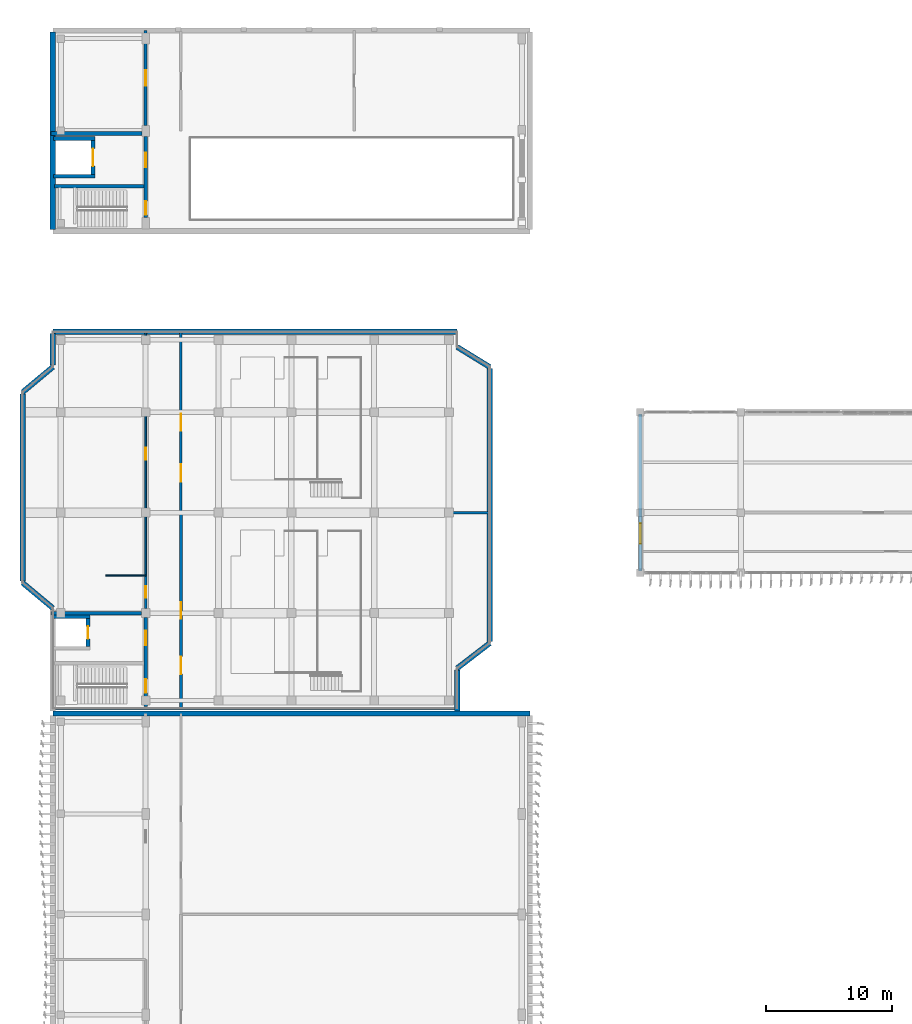
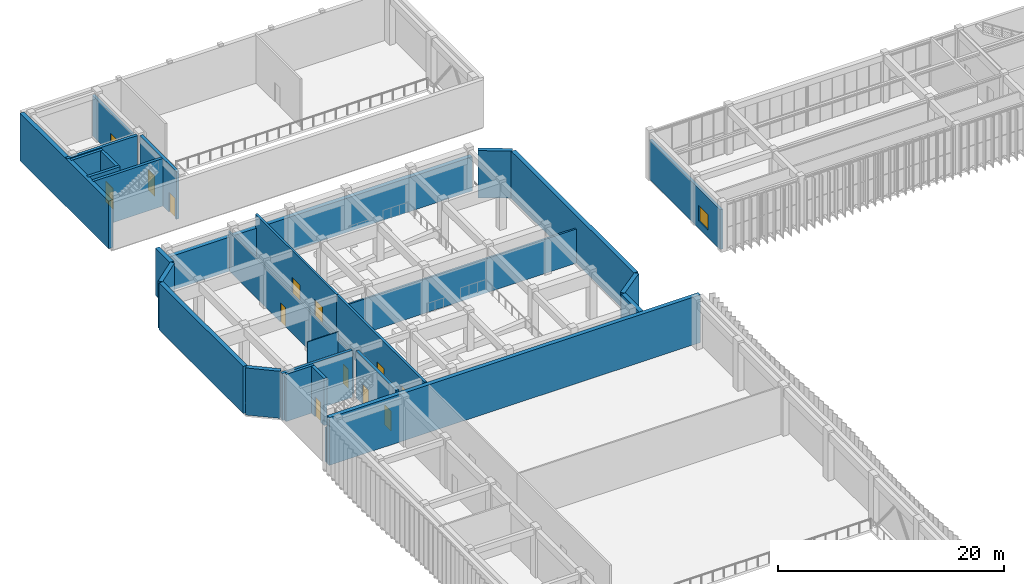
# One storey, part 39 of 64: 30 walls, 13 doors, 1 window, 14 openings.
"""IFC4 building model written with IfcOpenShell, lengths in metres."""

from ifc_helpers import new_model, si_unit, direction, frame, frame_2d, origin, place, context, subcontext, project, spatial, rectangle, extrude, material, layer, layer_set, type_object, element, fill, save


model = new_model("IFC4")

# Units and contexts
model_context = context("Model", 3, precision=1e-05, world=origin(), true_north=direction((0.0, 1.0)))
body_context = subcontext(model_context, "Body", "Model", "MODEL_VIEW")
ifc_project = project(units=[si_unit("LENGTHUNIT", "METRE"), si_unit("AREAUNIT", "SQUARE_METRE"), si_unit("VOLUMEUNIT", "CUBIC_METRE"), si_unit("PLANEANGLEUNIT", "RADIAN"), si_unit("MASSUNIT", "GRAM", prefix="KILO")], contexts=[model_context])

# Site, building, storey
site_placement = place(None, origin())
site = spatial("IfcSite", under=ifc_project, at=site_placement, CompositionType="ELEMENT")
building_placement = place(site_placement, origin())
building = spatial("IfcBuilding", under=site, at=building_placement, Name="Cinchona Park Media Centre", CompositionType="ELEMENT")
storey_placement = place(building_placement, frame((0.0, 0.0, 10.199951171875)))
storey = spatial("IfcBuildingStorey", under=building, at=storey_placement, Name="L02", CompositionType="ELEMENT", Elevation=10.199951171875)

# Walls
ifc_material_1 = material(Name="Precast concrete C40/50", Category="concrete")
ifc_layer_1 = layer(ifc_material_1, 0.425048828125)
ifc_layer_set_1 = layer_set([ifc_layer_1], Name="Precast concrete C40/50")
wall_type_1 = type_object("IfcWallType", Name="WALL-W-AC01", PredefinedType="SOLIDWALL", material=ifc_layer_set_1)
wall_1_placement = place(storey_placement, frame((8.0, 63.60009765625, 0.0), z_axis=(0.0, 0.0, 1.0), x_axis=(1.0, 0.0, 0.0)))
element("IfcWall", 1, at=wall_1_placement, inside=storey, type_object=wall_type_1, Name="Exterior Wall W-AC01 V1 L02", PredefinedType="SOLIDWALL", context=body_context, shape_type="SweptSolid", body=[
    extrude(rectangle(XDim=38.0, YDim=0.425048828125, at=frame_2d((19.0, 0.0))), origin(), (0.0, 0.0, 1.0), 5.16015625),
])
wall_2_placement = place(storey_placement, frame((8.0, 102.139892578125, 0.0), z_axis=(0.0, 0.0, 1.0), x_axis=(0.0, 1.0, 0.0)))
element("IfcWall", 2, at=wall_2_placement, inside=storey, type_object=wall_type_1, Name="Exterior Wall W-AC01 V2 L02", PredefinedType="SOLIDWALL", context=body_context, shape_type="SweptSolid", body=[
    extrude(rectangle(XDim=15.72021484375, YDim=0.425048828125, at=frame_2d((7.860107421875, 0.0))), origin(), (0.0, 0.0, 1.0), 5.16015625),
])
wall_3_placement = place(storey_placement, frame((8.0, 72.0, 0.0), z_axis=(0.0, 0.0, 1.0), x_axis=(-0.768208468069, 0.640199773186, 0.0)))
element("IfcWall", 3, at=wall_3_placement, inside=storey, type_object=wall_type_1, Name="Exterior Wall W-AC01 V4 L02", PredefinedType="SOLIDWALL", context=body_context, shape_type="SweptSolid", body=[
    extrude(rectangle(XDim=3.1240234375, YDim=0.425048828125, at=frame_2d((1.56201171875, 0.0))), origin(), (0.0, 0.0, 1.0), 5.10009765625),
])
wall_4_placement = place(storey_placement, frame((5.60009765625, 74.139892578125, 0.0), z_axis=(0.0, 0.0, 1.0), x_axis=(0.0, 1.0, 0.0)))
element("IfcWall", 4, at=wall_4_placement, inside=storey, type_object=wall_type_1, Name="Exterior Wall W-AC01 V4 L02", PredefinedType="SOLIDWALL", context=body_context, shape_type="SweptSolid", body=[
    extrude(rectangle(XDim=14.920166015625, YDim=0.425048828125, at=frame_2d((7.4599609375, 0.0))), origin(), (0.0, 0.0, 1.0), 5.10009765625),
])
wall_5_placement = place(storey_placement, frame((5.60009765625, 89.199951171875, 0.0), z_axis=(0.0, 0.0, 1.0), x_axis=(0.768208468069, 0.640199773186, 0.0)))
element("IfcWall", 5, at=wall_5_placement, inside=storey, type_object=wall_type_1, Name="Exterior Wall W-AC01 V4 L02", PredefinedType="SOLIDWALL", context=body_context, shape_type="SweptSolid", body=[
    extrude(rectangle(XDim=3.1240234375, YDim=0.425048828125, at=frame_2d((1.56201171875, 0.0))), origin(), (0.0, 0.0, 1.0), 5.10009765625),
])
wall_6_placement = place(storey_placement, frame((8.0, 91.340087890625, 0.0), z_axis=(0.0, 0.0, 1.0), x_axis=(0.0, 1.0, 0.0)))
element("IfcWall", 6, at=wall_6_placement, inside=storey, type_object=wall_type_1, Name="Exterior Wall W-AC01 V4 L02", PredefinedType="SOLIDWALL", context=body_context, shape_type="SweptSolid", body=[
    extrude(rectangle(XDim=2.52001953125, YDim=0.425048828125, at=frame_2d((1.260009765625, 0.0))), origin(), (0.0, 0.0, 1.0), 5.10009765625),
])
wall_7_placement = place(storey_placement, frame((8.0, 94.0, 0.0), z_axis=(0.0, 0.0, 1.0), x_axis=(1.0, 0.0, 0.0)))
element("IfcWall", 7, at=wall_7_placement, inside=storey, type_object=wall_type_1, Name="Exterior Wall W-AC01 V4 L02", PredefinedType="SOLIDWALL", context=body_context, shape_type="SweptSolid", body=[
    extrude(rectangle(XDim=32.199951171875, YDim=0.425048828125, at=frame_2d((16.10009765625, 0.0))), origin(), (0.0, 0.0, 1.0), 3.699951171875),
])
wall_8_placement = place(storey_placement, frame((40.199951171875, 92.800048828125, 0.0), z_axis=(0.0, 0.0, 1.0), x_axis=(0.851652825334, -0.524106349037, 0.0)))
element("IfcWall", 8, at=wall_8_placement, inside=storey, type_object=wall_type_1, Name="Exterior Wall W-AC01 V4 L02", PredefinedType="SOLIDWALL", context=body_context, shape_type="SweptSolid", body=[
    extrude(rectangle(XDim=3.052978515625, YDim=0.425048828125, at=frame_2d((1.5263671875, 0.0))), origin(), (0.0, 0.0, 1.0), 5.10009765625),
])
wall_9_placement = place(storey_placement, frame((42.800048828125, 91.06005859375, 0.0), z_axis=(0.0, 0.0, 1.0), x_axis=(0.0, -1.0, 0.0)))
element("IfcWall", 9, at=wall_9_placement, inside=storey, type_object=wall_type_1, Name="Exterior Wall W-AC01 V4 L02", PredefinedType="SOLIDWALL", context=body_context, shape_type="SweptSolid", body=[
    extrude(rectangle(XDim=21.719970703125, YDim=0.425048828125, at=frame_2d((10.85986328125, 0.0))), origin(), (0.0, 0.0, 1.0), 5.10009765625),
])
wall_10_placement = place(storey_placement, frame((42.800048828125, 69.199951171875, 0.0), z_axis=(0.0, 0.0, 1.0), x_axis=(-0.792635056011, -0.609696373601, 0.0)))
element("IfcWall", 10, at=wall_10_placement, inside=storey, type_object=wall_type_1, Name="Exterior Wall W-AC01 V4 L02", PredefinedType="SOLIDWALL", context=body_context, shape_type="SweptSolid", body=[
    extrude(rectangle(XDim=3.2802734375, YDim=0.425048828125, at=frame_2d((1.64013671875, 0.0))), origin(), (0.0, 0.0, 1.0), 5.10009765625),
])
wall_11_placement = place(storey_placement, frame((40.199951171875, 67.06005859375, 0.0), z_axis=(0.0, 0.0, 1.0), x_axis=(0.0, -1.0, 0.0)))
element("IfcWall", 11, at=wall_11_placement, inside=storey, type_object=wall_type_1, Name="Exterior Wall W-AC01 V4 L02", PredefinedType="SOLIDWALL", context=body_context, shape_type="SweptSolid", body=[
    extrude(rectangle(XDim=3.241943359375, YDim=0.425048828125, at=frame_2d((1.62109375, 0.0))), origin(), (0.0, 0.0, 1.0), 5.10009765625),
])

# Wall, openings, doors
ifc_material_2 = material(Name="Acoustic Double-Stud Gypsum Partition", Category="gypsum")
ifc_layer_2 = layer(ifc_material_2, 0.2099609375)
ifc_layer_set_2 = layer_set([ifc_layer_2], Name="Acoustic Double-Stud Gypsum Partition")
wall_type_2 = type_object("IfcWallType", Name="WALL-W-AC210", PredefinedType="PARTITIONING", material=ifc_layer_set_2)
wall_12_placement = place(storey_placement, frame((18.199951171875, 94.0, 0.0), z_axis=(0.0, 0.0, 1.0), x_axis=(0.0, -1.0, 0.0)))
wall_12 = element("IfcWall", 12, at=wall_12_placement, inside=storey, type_object=wall_type_2, Name="Interior Wall W-AC210 L02", PredefinedType="PARTITIONING", context=body_context, shape_type="SweptSolid", body=[
    extrude(rectangle(XDim=14.39990234375, YDim=0.2099609375, at=frame_2d((7.199951171875, 0.0))), origin(), (0.0, 0.0, 1.0), 5.10009765625),
])
opening_1_placement = place(wall_12_placement, frame((6.52490234375, 0.0, 0.0)))
opening_1 = element("IfcOpeningElement", 13, at=opening_1_placement, cuts=wall_12, Name="Opening D278", PredefinedType="OPENING", context=body_context, shape_type="SweptSolid", body=[
    extrude(rectangle(XDim=1.35009765625, YDim=2.199951171875, at=frame_2d((0.675048828125, 1.10009765625))), frame((0.0, 0.114990234375, 0.0), z_axis=(0.0, -1.0, 0.0), x_axis=(1.0, 0.0, 0.0)), (0.0, 0.0, 1.0), 0.22998046875),
])
opening_2_placement = place(wall_12_placement, frame((10.531982421875, 0.0, 0.0)))
opening_2 = element("IfcOpeningElement", 14, at=opening_2_placement, cuts=wall_12, Name="Opening D279", PredefinedType="OPENING", context=body_context, shape_type="SweptSolid", body=[
    extrude(rectangle(XDim=1.39990234375, YDim=2.25, at=frame_2d((0.699951171875, 1.125))), frame((0.0, 0.114990234375, 0.0), z_axis=(0.0, -1.0, 0.0), x_axis=(1.0, 0.0, 0.0)), (0.0, 0.0, 1.0), 0.22998046875),
])
ifc_material_3 = material(Name="Acoustic Double-Seal Steel Door", Category="steel")
door_type_1 = type_object("IfcDoorType", Name="DOOR-DT-AC", OperationType="NOTDEFINED", PredefinedType="DOOR", material=ifc_material_3)
door_1_placement = place(opening_2_placement, origin())
door_1 = element("IfcDoor", 15, at=door_1_placement, inside=storey, type_object=door_type_1, Name="Interior Door D279", OperationType="SINGLE_SWING_LEFT", OverallHeight=2.25, OverallWidth=1.39990234375, PredefinedType="DOOR", context=body_context, shape_type="SweptSolid", body=[
    extrude(rectangle(XDim=1.39990234375, YDim=2.25, at=frame_2d((0.699951171875, 1.125))), frame((0.0, 0.02490234375, 0.0), z_axis=(0.0, -1.0, 0.0), x_axis=(1.0, 0.0, 0.0)), (0.0, 0.0, 1.0), 0.050048828125),
])
fill(opening_2, door_1)
ifc_material_4 = material(Name="Fire-Rated Acoustic Timber-Steel Door", Category="steel")
door_type_2 = type_object("IfcDoorType", Name="DOOR-DT13", OperationType="NOTDEFINED", PredefinedType="DOOR", material=ifc_material_4)
door_2_placement = place(opening_1_placement, origin())
door_2 = element("IfcDoor", 16, at=door_2_placement, inside=storey, type_object=door_type_2, Name="Interior Door D278", OperationType="SINGLE_SWING_RIGHT", OverallHeight=2.199951171875, OverallWidth=1.35009765625, PredefinedType="DOOR", context=body_context, shape_type="SweptSolid", body=[
    extrude(rectangle(XDim=1.35009765625, YDim=2.199951171875, at=frame_2d((0.675048828125, 1.10009765625))), frame((0.0, 0.02490234375, 0.0), z_axis=(0.0, -1.0, 0.0), x_axis=(1.0, 0.0, 0.0)), (0.0, 0.0, 1.0), 0.050048828125),
])
fill(opening_1, door_2)

# Wall, opening, door
ifc_material_5 = material(Name="Acoustic Double-Stud Gypsum Partition", Category="gypsum")
ifc_layer_3 = layer(ifc_material_5, 0.239990234375)
ifc_layer_set_3 = layer_set([ifc_layer_3], Name="Acoustic Double-Stud Gypsum Partition")
wall_type_3 = type_object("IfcWallType", Name="WALL-W-AC240", PredefinedType="PARTITIONING", material=ifc_layer_set_3)
wall_13_placement = place(storey_placement, frame((15.39990234375, 110.451904296875, 0.0), z_axis=(0.0, 0.0, 1.0), x_axis=(0.0, 1.0, 0.0)))
wall_13 = element("IfcWall", 17, at=wall_13_placement, inside=storey, type_object=wall_type_3, Name="Interior Wall W-AC240 L02", PredefinedType="PARTITIONING", context=body_context, shape_type="SweptSolid", body=[
    extrude(rectangle(XDim=7.548095703125, YDim=0.239990234375, at=frame_2d((3.77392578125, 0.0))), origin(), (0.0, 0.0, 1.0), 4.41015625),
])
opening_3_placement = place(wall_13_placement, frame((3.1640625, 0.0, 0.0)))
opening_3 = element("IfcOpeningElement", 18, at=opening_3_placement, cuts=wall_13, Name="Opening D272", PredefinedType="OPENING", context=body_context, shape_type="SweptSolid", body=[
    extrude(rectangle(XDim=1.219970703125, YDim=2.199951171875, at=frame_2d((0.60986328125, 1.10009765625))), frame((0.0, 0.1298828125, 0.0), z_axis=(0.0, -1.0, 0.0), x_axis=(1.0, 0.0, 0.0)), (0.0, 0.0, 1.0), 0.260009765625),
])
ifc_material_6 = material(Name="Fire-Rated Acoustic Timber-Steel Door", Category="steel")
door_type_3 = type_object("IfcDoorType", Name="DOOR-DT10", OperationType="NOTDEFINED", PredefinedType="DOOR", material=ifc_material_6)
door_3_placement = place(opening_3_placement, origin())
door_3 = element("IfcDoor", 19, at=door_3_placement, inside=storey, type_object=door_type_3, Name="Interior Door D272", OperationType="SINGLE_SWING_RIGHT", OverallHeight=2.199951171875, OverallWidth=1.219970703125, PredefinedType="DOOR", context=body_context, shape_type="SweptSolid", body=[
    extrude(rectangle(XDim=1.219970703125, YDim=2.199951171875, at=frame_2d((0.60986328125, 1.10009765625))), frame((0.0, 0.02490234375, 0.0), z_axis=(0.0, -1.0, 0.0), x_axis=(1.0, 0.0, 0.0)), (0.0, 0.0, 1.0), 0.050048828125),
])
fill(opening_3, door_3)

# Wall, openings, doors
wall_14_placement = place(storey_placement, frame((18.199951171875, 79.60009765625, 0.0), z_axis=(0.0, 0.0, 1.0), x_axis=(0.0, -1.0, 0.0)))
wall_14 = element("IfcWall", 20, at=wall_14_placement, inside=storey, type_object=wall_type_3, Name="Interior Wall W-AC240 L02", PredefinedType="PARTITIONING", context=body_context, shape_type="SweptSolid", body=[
    extrude(rectangle(XDim=15.60009765625, YDim=0.239990234375, at=frame_2d((7.800048828125, 0.0))), origin(), (0.0, 0.0, 1.0), 5.10009765625),
])
opening_4_placement = place(wall_14_placement, frame((7.14990234375, 0.0, 0.0)))
opening_4 = element("IfcOpeningElement", 21, at=opening_4_placement, cuts=wall_14, Name="Opening D276", PredefinedType="OPENING", context=body_context, shape_type="SweptSolid", body=[
    extrude(rectangle(XDim=1.300048828125, YDim=2.199951171875, at=frame_2d((0.64990234375, 1.10009765625))), frame((0.0, 0.1298828125, 0.0), z_axis=(0.0, -1.0, 0.0), x_axis=(1.0, 0.0, 0.0)), (0.0, 0.0, 1.0), 0.260009765625),
])
opening_5_placement = place(wall_14_placement, frame((11.468017578125, 0.0, 0.0)))
opening_5 = element("IfcOpeningElement", 22, at=opening_5_placement, cuts=wall_14, Name="Opening D277", PredefinedType="OPENING", context=body_context, shape_type="SweptSolid", body=[
    extrude(rectangle(XDim=1.39990234375, YDim=2.25, at=frame_2d((0.699951171875, 1.125))), frame((0.0, 0.1298828125, 0.0), z_axis=(0.0, -1.0, 0.0), x_axis=(1.0, 0.0, 0.0)), (0.0, 0.0, 1.0), 0.260009765625),
])
door_4_placement = place(opening_5_placement, origin())
door_4 = element("IfcDoor", 23, at=door_4_placement, inside=storey, type_object=door_type_1, Name="Interior Door D277", OperationType="SINGLE_SWING_LEFT", OverallHeight=2.25, OverallWidth=1.39990234375, PredefinedType="DOOR", context=body_context, shape_type="SweptSolid", body=[
    extrude(rectangle(XDim=1.39990234375, YDim=2.25, at=frame_2d((0.699951171875, 1.125))), frame((0.0, 0.02490234375, 0.0), z_axis=(0.0, -1.0, 0.0), x_axis=(1.0, 0.0, 0.0)), (0.0, 0.0, 1.0), 0.050048828125),
])
fill(opening_5, door_4)
ifc_material_7 = material(Name="Fire-Rated Acoustic Timber-Steel Door", Category="steel")
door_type_4 = type_object("IfcDoorType", Name="DOOR-DT12", OperationType="NOTDEFINED", PredefinedType="DOOR", material=ifc_material_7)
door_5_placement = place(opening_4_placement, origin())
door_5 = element("IfcDoor", 24, at=door_5_placement, inside=storey, type_object=door_type_4, Name="Interior Door D276", OperationType="SINGLE_SWING_RIGHT", OverallHeight=2.199951171875, OverallWidth=1.300048828125, PredefinedType="DOOR", context=body_context, shape_type="SweptSolid", body=[
    extrude(rectangle(XDim=1.300048828125, YDim=2.199951171875, at=frame_2d((0.64990234375, 1.10009765625))), frame((0.0, 0.02490234375, 0.0), z_axis=(0.0, -1.0, 0.0), x_axis=(1.0, 0.0, 0.0)), (0.0, 0.0, 1.0), 0.050048828125),
])
fill(opening_4, door_5)

# Wall
ifc_material_8 = material(Name="Precast concrete C40/50", Category="concrete")
ifc_layer_4 = layer(ifc_material_8, 0.27490234375)
ifc_layer_set_4 = layer_set([ifc_layer_4], Name="Precast concrete C40/50")
wall_type_4 = type_object("IfcWallType", Name="WALL-W-EX03", PredefinedType="SOLIDWALL", material=ifc_layer_set_4)
wall_15_placement = place(storey_placement, frame((40.199951171875, 64.0, 0.0), z_axis=(0.0, 0.0, 1.0), x_axis=(-1.0, 0.0, 0.0)))
element("IfcWall", 25, at=wall_15_placement, inside=storey, type_object=wall_type_4, Name="Exterior Wall W-EX03 V4 L02", PredefinedType="SOLIDWALL", context=body_context, shape_type="SweptSolid", body=[
    extrude(rectangle(XDim=32.199951171875, YDim=0.27490234375, at=frame_2d((16.10009765625, 0.0))), origin(), (0.0, 0.0, 1.0), 3.699951171875),
])

# Wall, opening, window
wall_16_placement = place(storey_placement, frame((54.800048828125, 74.93994140625, 0.0), z_axis=(0.0, 0.0, 1.0), x_axis=(0.0, 1.0, 0.0)))
wall_16 = element("IfcWall", 26, at=wall_16_placement, inside=storey, type_object=wall_type_4, Name="Exterior Wall W-EX03 V5 L02", PredefinedType="SOLIDWALL", context=body_context, shape_type="SweptSolid", body=[
    extrude(rectangle(XDim=12.52001953125, YDim=0.27490234375, at=frame_2d((6.260009765625, 0.0))), origin(), (0.0, 0.0, 1.0), 4.31005859375),
])
opening_6_placement = place(wall_16_placement, frame((2.199951171875, 0.0, 0.800048828125)))
opening_6 = element("IfcOpeningElement", 27, at=opening_6_placement, cuts=wall_16, Name="Opening WN25", PredefinedType="OPENING", context=body_context, shape_type="SweptSolid", body=[
    extrude(rectangle(XDim=1.60009765625, YDim=1.64990234375, at=frame_2d((0.800048828125, 0.824951171875))), frame((0.0, 0.1474609375, 0.0), z_axis=(0.0, -1.0, 0.0), x_axis=(1.0, 0.0, 0.0)), (0.0, 0.0, 1.0), 0.294921875),
])
ifc_material_9 = material(Name="Thermally Broken Aluminium Solar-Control Window", Category="aluminium")
window_type = type_object("IfcWindowType", Name="WIN-WN25", PartitioningType="SINGLE_PANEL", PredefinedType="WINDOW", material=ifc_material_9)
window_placement = place(opening_6_placement, origin())
window = element("IfcWindow", 28, at=window_placement, inside=storey, type_object=window_type, Name="Window WN25 L02", OverallHeight=1.64990234375, OverallWidth=1.60009765625, PartitioningType="SINGLE_PANEL", PredefinedType="WINDOW", context=body_context, shape_type="SweptSolid", body=[
    extrude(rectangle(XDim=1.60009765625, YDim=1.64990234375, at=frame_2d((0.800048828125, 0.824951171875))), frame((0.0, 0.030029296875, 0.0), z_axis=(0.0, -1.0, 0.0), x_axis=(1.0, 0.0, 0.0)), (0.0, 0.0, 1.0), 0.06005859375),
])
fill(opening_6, window)

# Wall
ifc_material_10 = material(Name="Gypsum Metal-Stud Partition", Category="gypsum")
ifc_layer_5 = layer(ifc_material_10, 0.10009765625)
ifc_layer_set_5 = layer_set([ifc_layer_5], Name="Gypsum Metal-Stud Partition")
wall_type_5 = type_object("IfcWallType", Name="WALL-W-PT100", PredefinedType="PARTITIONING", material=ifc_layer_set_5)
wall_17_placement = place(storey_placement, frame((12.199951171875, 74.60009765625, 0.0), z_axis=(0.0, 0.0, 1.0), x_axis=(1.0, 0.0, 0.0)))
element("IfcWall", 29, at=wall_17_placement, inside=storey, type_object=wall_type_5, Name="Interior Wall W-PT100 L02", PredefinedType="PARTITIONING", context=body_context, shape_type="SweptSolid", body=[
    extrude(rectangle(XDim=3.199951171875, YDim=0.10009765625, at=frame_2d((1.60009765625, 0.0))), origin(), (0.0, 0.0, 1.0), 5.10009765625),
])

# Wall, opening, door
ifc_material_11 = material(Name="Fire-Rated Gypsum Stud Partition", Category="gypsum")
ifc_layer_6 = layer(ifc_material_11, 0.14990234375)
ifc_layer_set_6 = layer_set([ifc_layer_6], Name="Fire-Rated Gypsum Stud Partition")
wall_type_6 = type_object("IfcWallType", Name="WALL-W-PT150", PredefinedType="PARTITIONING", material=ifc_layer_set_6)
wall_18_placement = place(storey_placement, frame((15.39990234375, 74.60009765625, 0.0), z_axis=(0.0, 0.0, 1.0), x_axis=(0.0, 1.0, 0.0)))
wall_18 = element("IfcWall", 30, at=wall_18_placement, inside=storey, type_object=wall_type_6, Name="Interior Wall W-PT150 L02", PredefinedType="PARTITIONING", context=body_context, shape_type="SweptSolid", body=[
    extrude(rectangle(XDim=19.39990234375, YDim=0.14990234375, at=frame_2d((9.699951171875, 0.0))), origin(), (0.0, 0.0, 1.0), 4.25),
])
opening_7_placement = place(wall_18_placement, frame((9.22509765625, 0.0, 0.0)))
opening_7 = element("IfcOpeningElement", 31, at=opening_7_placement, cuts=wall_18, Name="Opening D275", PredefinedType="OPENING", context=body_context, shape_type="SweptSolid", body=[
    extrude(rectangle(XDim=0.949951171875, YDim=2.10009765625, at=frame_2d((0.47509765625, 1.050048828125))), frame((0.0, 0.0849609375, 0.0), z_axis=(0.0, -1.0, 0.0), x_axis=(1.0, 0.0, 0.0)), (0.0, 0.0, 1.0), 0.169921875),
])
ifc_material_12 = material(Name="Solid-Core Timber Acoustic Door", Category="wood")
door_type_5 = type_object("IfcDoorType", Name="DOOR-DT02", OperationType="NOTDEFINED", PredefinedType="DOOR", material=ifc_material_12)
door_6_placement = place(opening_7_placement, origin())
door_6 = element("IfcDoor", 32, at=door_6_placement, inside=storey, type_object=door_type_5, Name="Interior Door D275", OperationType="SINGLE_SWING_LEFT", OverallHeight=2.10009765625, OverallWidth=0.949951171875, PredefinedType="DOOR", context=body_context, shape_type="SweptSolid", body=[
    extrude(rectangle(XDim=0.949951171875, YDim=2.10009765625, at=frame_2d((0.47509765625, 1.050048828125))), frame((0.0, 0.02490234375, 0.0), z_axis=(0.0, -1.0, 0.0), x_axis=(1.0, 0.0, 0.0)), (0.0, 0.0, 1.0), 0.050048828125),
])
fill(opening_7, door_6)

ifc_material_13 = material(Name="Fire-Rated Gypsum Stud Partition", Category="gypsum")
ifc_layer_7 = layer(ifc_material_13, 0.1650390625)
ifc_layer_set_7 = layer_set([ifc_layer_7], Name="Fire-Rated Gypsum Stud Partition")
wall_type_7 = type_object("IfcWallType", Name="WALL-W-PT165", PredefinedType="PARTITIONING", material=ifc_layer_set_7)
wall_19_placement = place(storey_placement, frame((15.39990234375, 71.951904296875, 0.0), z_axis=(0.0, 0.0, 1.0), x_axis=(0.0, 1.0, 0.0)))
wall_19 = element("IfcWall", 33, at=wall_19_placement, inside=storey, type_object=wall_type_7, Name="Interior Wall W-PT165 L02", PredefinedType="PARTITIONING", context=body_context, shape_type="SweptSolid", body=[
    extrude(rectangle(XDim=2.648193359375, YDim=0.1650390625, at=frame_2d((1.32421875, 0.0))), origin(), (0.0, 0.0, 1.0), 4.25),
])
opening_8_placement = place(wall_19_placement, frame((0.864013671875, 0.0, 0.0)))
opening_8 = element("IfcOpeningElement", 34, at=opening_8_placement, cuts=wall_19, Name="Opening D274", PredefinedType="OPENING", context=body_context, shape_type="SweptSolid", body=[
    extrude(rectangle(XDim=0.919921875, YDim=2.10009765625, at=frame_2d((0.4599609375, 1.050048828125))), frame((0.0, 0.092529296875, 0.0), z_axis=(0.0, -1.0, 0.0), x_axis=(1.0, 0.0, 0.0)), (0.0, 0.0, 1.0), 0.18505859375),
])
ifc_material_14 = material(Name="Solid-Core Timber Acoustic Door", Category="wood")
door_type_6 = type_object("IfcDoorType", Name="DOOR-DT01", OperationType="NOTDEFINED", PredefinedType="DOOR", material=ifc_material_14)
door_7_placement = place(opening_8_placement, origin())
door_7 = element("IfcDoor", 35, at=door_7_placement, inside=storey, type_object=door_type_6, Name="Interior Door D274", OperationType="SINGLE_SWING_RIGHT", OverallHeight=2.10009765625, OverallWidth=0.919921875, PredefinedType="DOOR", context=body_context, shape_type="SweptSolid", body=[
    extrude(rectangle(XDim=0.919921875, YDim=2.10009765625, at=frame_2d((0.4599609375, 1.050048828125))), frame((0.0, 0.02490234375, 0.0), z_axis=(0.0, -1.0, 0.0), x_axis=(1.0, 0.0, 0.0)), (0.0, 0.0, 1.0), 0.050048828125),
])
fill(opening_8, door_7)

# Walls
ifc_material_15 = material(Name="Fire-Rated Gypsum Stud Partition", Category="gypsum")
ifc_layer_8 = layer(ifc_material_15, 0.18994140625)
ifc_layer_set_8 = layer_set([ifc_layer_8], Name="Fire-Rated Gypsum Stud Partition")
wall_type_8 = type_object("IfcWallType", Name="WALL-W-PT190", PredefinedType="PARTITIONING", material=ifc_layer_set_8)
wall_20_placement = place(storey_placement, frame((18.199951171875, 79.60009765625, 0.0), z_axis=(0.0, 0.0, 1.0), x_axis=(1.0, 0.0, 0.0)))
element("IfcWall", 36, at=wall_20_placement, inside=storey, type_object=wall_type_8, Name="Interior Wall W-PT190 L02", PredefinedType="PARTITIONING", context=body_context, shape_type="SweptSolid", body=[
    extrude(rectangle(XDim=24.60009765625, YDim=0.18994140625, at=frame_2d((12.300048828125, 0.0))), origin(), (0.0, 0.0, 1.0), 3.699951171875),
])
ifc_material_16 = material(Name="Concrete C40/50", Category="concrete")
ifc_layer_9 = layer(ifc_material_16, 0.2900390625)
ifc_layer_set_9 = layer_set([ifc_layer_9], Name="Concrete C40/50")
wall_type_9 = type_object("IfcWallType", Name="WALL-W-SH290", PredefinedType="SHEAR", material=ifc_layer_set_9)
wall_21_placement = place(storey_placement, frame((7.85498046875, 71.60009765625, 0.0), z_axis=(0.0, 0.0, 1.0), x_axis=(1.0, 0.0, 0.0)))
element("IfcWall", 37, at=wall_21_placement, inside=storey, type_object=wall_type_9, Name="Core Shear Wall W-SH290 L02", PredefinedType="SHEAR", context=body_context, shape_type="SweptSolid", body=[
    extrude(rectangle(XDim=7.193115234375, YDim=0.2900390625, at=frame_2d((3.5966796875, 0.0))), origin(), (0.0, 0.0, 1.0), 5.10009765625),
])

# Wall, openings, doors
wall_22_placement = place(storey_placement, frame((15.39990234375, 64.14501953125, 0.0), z_axis=(0.0, 0.0, 1.0), x_axis=(0.0, 1.0, 0.0)))
wall_22 = element("IfcWall", 38, at=wall_22_placement, inside=storey, type_object=wall_type_9, Name="Core Shear Wall W-SH290 L02", PredefinedType="SHEAR", context=body_context, shape_type="SweptSolid", body=[
    extrude(rectangle(XDim=7.10302734375, YDim=0.2900390625, at=frame_2d((3.551513671875, 0.0))), origin(), (0.0, 0.0, 1.0), 5.10009765625),
])
opening_9_placement = place(wall_22_placement, frame((1.10498046875, 0.0, 0.0)))
opening_9 = element("IfcOpeningElement", 39, at=opening_9_placement, cuts=wall_22, Name="Opening D080", PredefinedType="OPENING", context=body_context, shape_type="SweptSolid", body=[
    extrude(rectangle(XDim=1.10009765625, YDim=2.14990234375, at=frame_2d((0.550048828125, 1.074951171875))), frame((0.0, 0.155029296875, 0.0), z_axis=(0.0, -1.0, 0.0), x_axis=(1.0, 0.0, 0.0)), (0.0, 0.0, 1.0), 0.31005859375),
])
opening_10_placement = place(wall_22_placement, frame((4.8798828125, 0.0, 0.0)))
opening_10 = element("IfcOpeningElement", 40, at=opening_10_placement, cuts=wall_22, Name="Opening D081", PredefinedType="OPENING", context=body_context, shape_type="SweptSolid", body=[
    extrude(rectangle(XDim=1.14990234375, YDim=2.199951171875, at=frame_2d((0.574951171875, 1.10009765625))), frame((0.0, 0.155029296875, 0.0), z_axis=(0.0, -1.0, 0.0), x_axis=(1.0, 0.0, 0.0)), (0.0, 0.0, 1.0), 0.31005859375),
])
ifc_material_17 = material(Name="Insulated Fire-Rated Steel Door", Category="steel")
door_type_7 = type_object("IfcDoorType", Name="DOOR-DT-FF", OperationType="NOTDEFINED", PredefinedType="DOOR", material=ifc_material_17)
door_8_placement = place(opening_10_placement, origin())
door_8 = element("IfcDoor", 41, at=door_8_placement, inside=storey, type_object=door_type_7, Name="Interior Door D081", OperationType="SINGLE_SWING_LEFT", OverallHeight=2.199951171875, OverallWidth=1.14990234375, PredefinedType="DOOR", context=body_context, shape_type="SweptSolid", body=[
    extrude(rectangle(XDim=1.14990234375, YDim=2.199951171875, at=frame_2d((0.574951171875, 1.10009765625))), frame((0.0, 0.02490234375, 0.0), z_axis=(0.0, -1.0, 0.0), x_axis=(1.0, 0.0, 0.0)), (0.0, 0.0, 1.0), 0.050048828125),
])
fill(opening_10, door_8)
ifc_material_18 = material(Name="Insulated Fire-Rated Steel Door", Category="steel")
door_type_8 = type_object("IfcDoorType", Name="DOOR-DT-ST", OperationType="NOTDEFINED", PredefinedType="DOOR", material=ifc_material_18)
door_9_placement = place(opening_9_placement, origin())
door_9 = element("IfcDoor", 42, at=door_9_placement, inside=storey, type_object=door_type_8, Name="Interior Door D080", OperationType="SINGLE_SWING_RIGHT", OverallHeight=2.14990234375, OverallWidth=1.10009765625, PredefinedType="DOOR", context=body_context, shape_type="SweptSolid", body=[
    extrude(rectangle(XDim=1.10009765625, YDim=2.14990234375, at=frame_2d((0.550048828125, 1.074951171875))), frame((0.0, 0.02490234375, 0.0), z_axis=(0.0, -1.0, 0.0), x_axis=(1.0, 0.0, 0.0)), (0.0, 0.0, 1.0), 0.050048828125),
])
fill(opening_9, door_9)

# Wall
wall_23_placement = place(storey_placement, frame((8.054931640625, 71.300048828125, 0.0), z_axis=(0.0, 0.0, 1.0), x_axis=(1.0, 0.0, 0.0)))
element("IfcWall", 43, at=wall_23_placement, inside=storey, type_object=wall_type_9, Name="Core Shear Wall W-SH290 L02", PredefinedType="SHEAR", context=body_context, shape_type="SweptSolid", body=[
    extrude(rectangle(XDim=2.89013671875, YDim=0.2900390625, at=frame_2d((1.445068359375, 0.0))), origin(), (0.0, 0.0, 1.0), 5.10009765625),
])

# Wall, opening, door
wall_24_placement = place(storey_placement, frame((10.800048828125, 68.945068359375, 0.0), z_axis=(0.0, 0.0, 1.0), x_axis=(0.0, 1.0, 0.0)))
wall_24 = element("IfcWall", 44, at=wall_24_placement, inside=storey, type_object=wall_type_9, Name="Core Shear Wall W-SH290 L02", PredefinedType="SHEAR", context=body_context, shape_type="SweptSolid", body=[
    extrude(rectangle(XDim=2.2099609375, YDim=0.2900390625, at=frame_2d((1.10498046875, 0.0))), origin(), (0.0, 0.0, 1.0), 5.10009765625),
])
opening_11_placement = place(wall_24_placement, frame((0.60498046875, 0.0, 0.0)))
opening_11 = element("IfcOpeningElement", 45, at=opening_11_placement, cuts=wall_24, Name="Opening LD24", PredefinedType="OPENING", context=body_context, shape_type="SweptSolid", body=[
    extrude(rectangle(XDim=1.0, YDim=2.14990234375, at=frame_2d((0.5, 1.074951171875))), frame((0.0, 0.155029296875, 0.0), z_axis=(0.0, -1.0, 0.0), x_axis=(1.0, 0.0, 0.0)), (0.0, 0.0, 1.0), 0.31005859375),
])
ifc_material_19 = material(Name="Stainless Steel Sliding Lift Landing Door", Category="steel")
door_type_9 = type_object("IfcDoorType", Name="DOOR-DT-LD2", OperationType="NOTDEFINED", PredefinedType="DOOR", material=ifc_material_19)
door_10_placement = place(opening_11_placement, origin())
door_10 = element("IfcDoor", 46, at=door_10_placement, inside=storey, type_object=door_type_9, Name="Lift Landing Door LD24", OperationType="SLIDING_TO_LEFT", OverallHeight=2.14990234375, OverallWidth=1.0, PredefinedType="DOOR", context=body_context, shape_type="SweptSolid", body=[
    extrude(rectangle(XDim=1.0, YDim=2.14990234375, at=frame_2d((0.5, 1.074951171875))), frame((0.0, 0.02490234375, 0.0), z_axis=(0.0, -1.0, 0.0), x_axis=(1.0, 0.0, 0.0)), (0.0, 0.0, 1.0), 0.050048828125),
])
fill(opening_11, door_10)

# Wall
wall_25_placement = place(storey_placement, frame((7.85498046875, 109.800048828125, 0.0), z_axis=(0.0, 0.0, 1.0), x_axis=(1.0, 0.0, 0.0)))
element("IfcWall", 47, at=wall_25_placement, inside=storey, type_object=wall_type_9, Name="Core Shear Wall W-SH290 L02", PredefinedType="SHEAR", context=body_context, shape_type="SweptSolid", body=[
    extrude(rectangle(XDim=7.242919921875, YDim=0.2900390625, at=frame_2d((3.62158203125, 0.0))), origin(), (0.0, 0.0, 1.0), 5.16015625),
])

# Wall, openings, doors
wall_26_placement = place(storey_placement, frame((15.39990234375, 103.092041015625, 0.0), z_axis=(0.0, 0.0, 1.0), x_axis=(0.0, 1.0, 0.0)))
wall_26 = element("IfcWall", 48, at=wall_26_placement, inside=storey, type_object=wall_type_9, Name="Core Shear Wall W-SH290 L02", PredefinedType="SHEAR", context=body_context, shape_type="SweptSolid", body=[
    extrude(rectangle(XDim=6.4560546875, YDim=0.2900390625, at=frame_2d((3.22802734375, 0.0))), origin(), (0.0, 0.0, 1.0), 5.16015625),
])
opening_12_placement = place(wall_26_placement, frame((0.219970703125, 0.0, 0.0)))
opening_12 = element("IfcOpeningElement", 49, at=opening_12_placement, cuts=wall_26, Name="Opening D082", PredefinedType="OPENING", context=body_context, shape_type="SweptSolid", body=[
    extrude(rectangle(XDim=1.10009765625, YDim=2.14990234375, at=frame_2d((0.550048828125, 1.074951171875))), frame((0.0, 0.155029296875, 0.0), z_axis=(0.0, -1.0, 0.0), x_axis=(1.0, 0.0, 0.0)), (0.0, 0.0, 1.0), 0.31005859375),
])
opening_13_placement = place(wall_26_placement, frame((4.032958984375, 0.0, 0.0)))
opening_13 = element("IfcOpeningElement", 50, at=opening_13_placement, cuts=wall_26, Name="Opening D083", PredefinedType="OPENING", context=body_context, shape_type="SweptSolid", body=[
    extrude(rectangle(XDim=1.14990234375, YDim=2.199951171875, at=frame_2d((0.574951171875, 1.10009765625))), frame((0.0, 0.155029296875, 0.0), z_axis=(0.0, -1.0, 0.0), x_axis=(1.0, 0.0, 0.0)), (0.0, 0.0, 1.0), 0.31005859375),
])
door_11_placement = place(opening_13_placement, origin())
door_11 = element("IfcDoor", 51, at=door_11_placement, inside=storey, type_object=door_type_7, Name="Interior Door D083", OperationType="SINGLE_SWING_LEFT", OverallHeight=2.199951171875, OverallWidth=1.14990234375, PredefinedType="DOOR", context=body_context, shape_type="SweptSolid", body=[
    extrude(rectangle(XDim=1.14990234375, YDim=2.199951171875, at=frame_2d((0.574951171875, 1.10009765625))), frame((0.0, 0.02490234375, 0.0), z_axis=(0.0, -1.0, 0.0), x_axis=(1.0, 0.0, 0.0)), (0.0, 0.0, 1.0), 0.050048828125),
])
fill(opening_13, door_11)
door_12_placement = place(opening_12_placement, origin())
door_12 = element("IfcDoor", 52, at=door_12_placement, inside=storey, type_object=door_type_8, Name="Interior Door D082", OperationType="SINGLE_SWING_RIGHT", OverallHeight=2.14990234375, OverallWidth=1.10009765625, PredefinedType="DOOR", context=body_context, shape_type="SweptSolid", body=[
    extrude(rectangle(XDim=1.10009765625, YDim=2.14990234375, at=frame_2d((0.550048828125, 1.074951171875))), frame((0.0, 0.02490234375, 0.0), z_axis=(0.0, -1.0, 0.0), x_axis=(1.0, 0.0, 0.0)), (0.0, 0.0, 1.0), 0.050048828125),
])
fill(opening_12, door_12)

# Walls
wall_27_placement = place(storey_placement, frame((8.14501953125, 105.60009765625, 0.0), z_axis=(0.0, 0.0, 1.0), x_axis=(1.0, 0.0, 0.0)))
element("IfcWall", 53, at=wall_27_placement, inside=storey, type_object=wall_type_9, Name="Core Shear Wall W-SH290 L02", PredefinedType="SHEAR", context=body_context, shape_type="SweptSolid", body=[
    extrude(rectangle(XDim=7.10986328125, YDim=0.2900390625, at=frame_2d((3.554931640625, 0.0))), origin(), (0.0, 0.0, 1.0), 5.16015625),
])
for number, where, z_axis, x_axis, name in (
    (54, (8.054931640625, 106.39990234375, 0.0), (0.0, 0.0, 1.0), (1.0, 0.0, 0.0), "Core Shear Wall W-SH290 L02"),
    (55, (8.054931640625, 109.39990234375, 0.0), (0.0, 0.0, 1.0), (1.0, 0.0, 0.0), "Core Shear Wall W-SH290 L02"),
):
    element("IfcWall", number, at=place(storey_placement, frame(where, z_axis=z_axis, x_axis=x_axis)), inside=storey, type_object=wall_type_9, Name=name, PredefinedType="SHEAR", context=body_context, shape_type="SweptSolid", body=[
        extrude(rectangle(XDim=3.2900390625, YDim=0.2900390625, at=frame_2d((1.64501953125, 0.0))), origin(), (0.0, 0.0, 1.0), 5.16015625),
    ])

# Wall, opening, door
wall_28_placement = place(storey_placement, frame((11.199951171875, 106.544921875, 0.0), z_axis=(0.0, 0.0, 1.0), x_axis=(0.0, 1.0, 0.0)))
wall_28 = element("IfcWall", 56, at=wall_28_placement, inside=storey, type_object=wall_type_9, Name="Core Shear Wall W-SH290 L02", PredefinedType="SHEAR", context=body_context, shape_type="SweptSolid", body=[
    extrude(rectangle(XDim=2.7099609375, YDim=0.2900390625, at=frame_2d((1.35498046875, 0.0))), origin(), (0.0, 0.0, 1.0), 5.16015625),
])
opening_14_placement = place(wall_28_placement, frame((0.655029296875, 0.0, 0.0)))
opening_14 = element("IfcOpeningElement", 57, at=opening_14_placement, cuts=wall_28, Name="Opening LD25", PredefinedType="OPENING", context=body_context, shape_type="SweptSolid", body=[
    extrude(rectangle(XDim=1.39990234375, YDim=2.25, at=frame_2d((0.699951171875, 1.125))), frame((0.0, 0.155029296875, 0.0), z_axis=(0.0, -1.0, 0.0), x_axis=(1.0, 0.0, 0.0)), (0.0, 0.0, 1.0), 0.31005859375),
])
ifc_material_20 = material(Name="Stainless Steel Sliding Lift Landing Door", Category="steel")
door_type_10 = type_object("IfcDoorType", Name="DOOR-DT-LD3", OperationType="NOTDEFINED", PredefinedType="DOOR", material=ifc_material_20)
door_13_placement = place(opening_14_placement, origin())
door_13 = element("IfcDoor", 58, at=door_13_placement, inside=storey, type_object=door_type_10, Name="Lift Landing Door LD25", OperationType="SLIDING_TO_LEFT", OverallHeight=2.25, OverallWidth=1.39990234375, PredefinedType="DOOR", context=body_context, shape_type="SweptSolid", body=[
    extrude(rectangle(XDim=1.39990234375, YDim=2.25, at=frame_2d((0.699951171875, 1.125))), frame((0.0, 0.02490234375, 0.0), z_axis=(0.0, -1.0, 0.0), x_axis=(1.0, 0.0, 0.0)), (0.0, 0.0, 1.0), 0.050048828125),
])
fill(opening_14, door_13)

save(model, "model.ifc")
